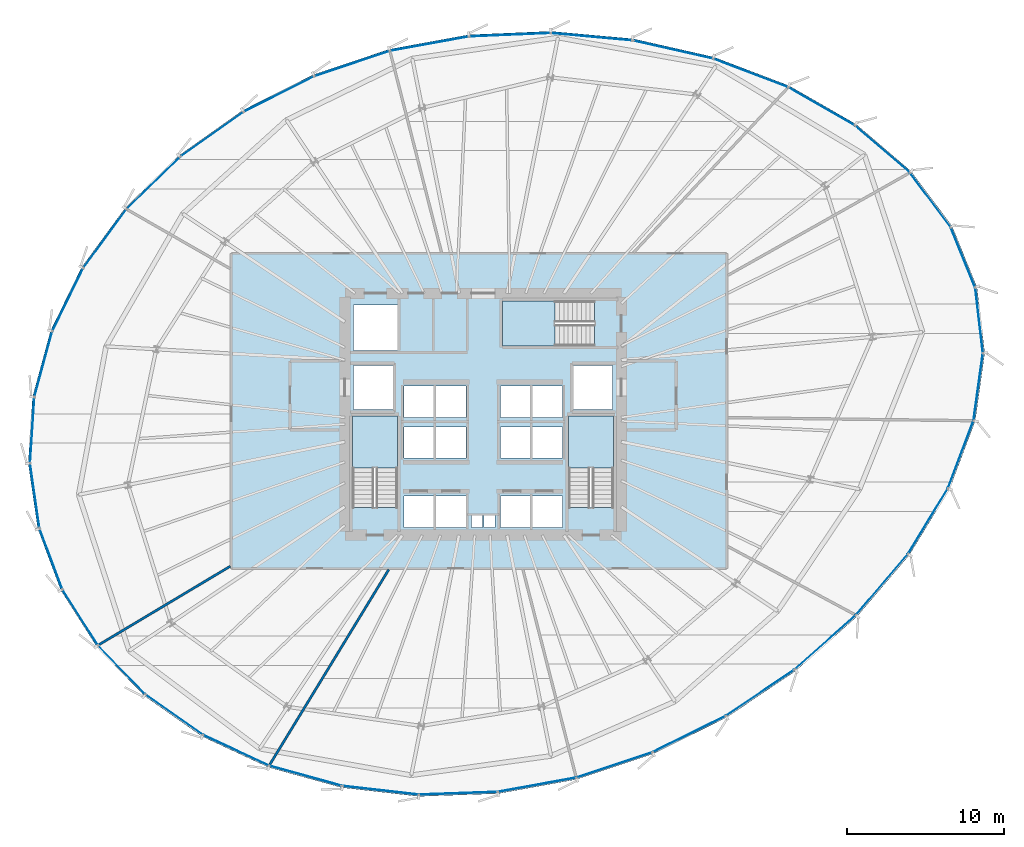
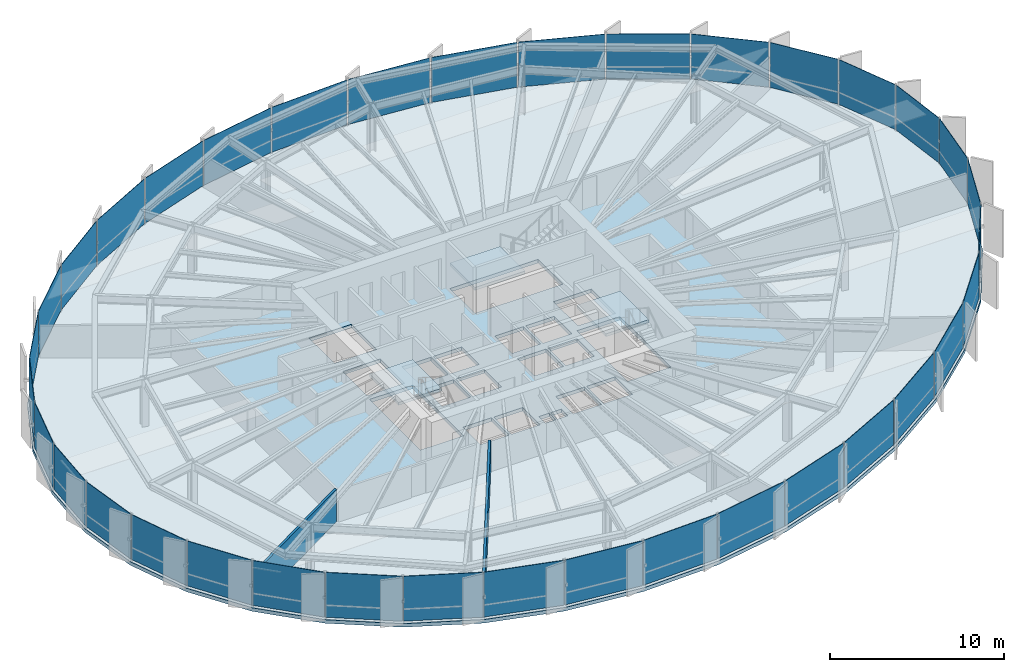
# One storey, part 27 of 35: 36 plates, 4 slabs, 2 walls, 9 elements without a shape of their own.
"""IFC4 building model written with IfcOpenShell, lengths in metres."""

import ifcopenshell
import ifcopenshell.guid

model = None  # the IFC model being written
_history = None  # IfcOwnerHistory: only IFC2X3 demands one
_inside = {}  # id of a spatial element -> (the spatial element, [elements in it])
_under = {}  # id of a project, library or spatial element -> (it, [spatial elements below it])
_declared = {}  # id of a project -> (the project, [libraries it declares])
_typed = {}  # id of a type object -> (the type object, [elements of that type])
_made_of = {}  # id of a material, layer set ... -> (it, [elements and type objects made of it])


def new_model(schema):
    """Start an empty IFC model of exactly this schema.

    Asked for "IFC4X3", IfcOpenShell would pick the latest addendum, in which some entities
    have other attributes; the version numbers below select the first issue.
    IFC2X3 requires an IfcOwnerHistory on every rooted entity: one is made here for all.
    """
    global model, _history
    if schema == "IFC4X3":
        model = ifcopenshell.file(schema_version=(4, 3, 0, 0))
    else:
        model = ifcopenshell.file(schema=schema)
    _inside.clear()
    _under.clear()
    _declared.clear()
    _typed.clear()
    _made_of.clear()
    _history = None
    if model.schema == "IFC2X3":
        org = make("IfcOrganization", Name="unknown")
        user = make(
            "IfcPersonAndOrganization",
            ThePerson=make("IfcPerson", FamilyName="unknown"),
            TheOrganization=org,
        )
        app = make(
            "IfcApplication",
            ApplicationDeveloper=org,
            Version="unknown",
            ApplicationFullName="unknown",
            ApplicationIdentifier="unknown",
        )
        _history = make(
            "IfcOwnerHistory",
            OwningUser=user,
            OwningApplication=app,
            ChangeAction="ADDED",
            CreationDate=0,
        )
    return model


def make(cls, **values):
    """One entity of the class cls with the attributes given. An attribute that is None is left unset."""
    return model.create_entity(
        cls, **{name: value for name, value in values.items() if value is not None}
    )


def rooted(cls, **values):
    """An entity with a GlobalId (a new one), such as an element, a storey or a relation."""
    return make(cls, GlobalId=ifcopenshell.guid.new(), OwnerHistory=_history, **values)


def si_unit(unit_type, name, prefix=None):
    """IfcSIUnit, for example si_unit("LENGTHUNIT", "METRE", prefix="MILLI")."""
    return make("IfcSIUnit", UnitType=unit_type, Prefix=prefix, Name=name)


def assignment(units):
    """IfcUnitAssignment: the units of a project."""
    return None if units is None else make("IfcUnitAssignment", Units=units)


def point(xyz):
    """IfcCartesianPoint."""
    return None if xyz is None else make("IfcCartesianPoint", Coordinates=xyz)


def direction(xyz):
    """IfcDirection."""
    return None if xyz is None else make("IfcDirection", DirectionRatios=xyz)


def frame(location, z_axis=None, x_axis=None):
    """IfcAxis2Placement3D, a coordinate frame: its origin and axes. An axis left out is left unset."""
    return make(
        "IfcAxis2Placement3D",
        Location=point(location),
        Axis=direction(z_axis),
        RefDirection=direction(x_axis),
    )


def frame_2d(location, x_axis=None):
    """IfcAxis2Placement2D, a coordinate frame in the plane: its origin and x axis."""
    return make(
        "IfcAxis2Placement2D", Location=point(location), RefDirection=direction(x_axis)
    )


def origin():
    """The frame at (0, 0, 0) with its axes left unset."""
    return frame((0.0, 0.0, 0.0))


def origin_2d():
    """The frame at (0, 0) in the plane with its x axis left unset."""
    return frame_2d((0.0, 0.0))


def place(relative_to, where):
    """IfcLocalPlacement: puts the frame where relative to a parent placement (None: the world)."""
    return make(
        "IfcLocalPlacement", PlacementRelTo=relative_to, RelativePlacement=where
    )


def context(
    kind, dimensions, precision=None, world=None, true_north=None, identifier=None
):
    """IfcGeometricRepresentationContext, for example the 3D "Model" context."""
    return make(
        "IfcGeometricRepresentationContext",
        ContextIdentifier=identifier,
        ContextType=kind,
        CoordinateSpaceDimension=dimensions,
        Precision=precision,
        WorldCoordinateSystem=world,
        TrueNorth=true_north,
    )


def subcontext(parent, identifier, kind, view, scale=None):
    """IfcGeometricRepresentationSubContext, for example "Body" below "Model"."""
    return make(
        "IfcGeometricRepresentationSubContext",
        ContextIdentifier=identifier,
        ContextType=kind,
        ParentContext=parent,
        TargetScale=scale,
        TargetView=view,
    )


def project(units=None, contexts=None):
    """IfcProject with its units and contexts."""
    return rooted(
        "IfcProject",
        Name="project",
        RepresentationContexts=contexts,
        UnitsInContext=assignment(units),
    )


def spatial(cls, under=None, at=None, **own):
    """A site, building, storey or space (cls), placed at a placement, below another one or the project."""
    s = rooted(cls, ObjectPlacement=at, **own)
    if under is not None:
        _under.setdefault(under.id(), (under, []))[1].append(s)
    return s


def polyline(points):
    """IfcPolyline through the points."""
    return make("IfcPolyline", Points=[point(p) for p in points])


def profile(cls, at=None, kind="AREA", **sizes):
    """A parametric profile (cls). Its sizes go by their IFC names, for example OverallWidth=200.0."""
    return make(cls, ProfileType=kind, Position=at, **sizes)


def rectangle(**sizes):
    """IfcRectangleProfileDef."""
    return profile("IfcRectangleProfileDef", **sizes)


def outline(outer, holes=None, kind="AREA"):
    """IfcArbitraryClosedProfileDef: a profile drawn as a closed curve; with holes, ...WithVoids."""
    if holes is None:
        return make("IfcArbitraryClosedProfileDef", ProfileType=kind, OuterCurve=outer)
    return make(
        "IfcArbitraryProfileDefWithVoids",
        ProfileType=kind,
        OuterCurve=outer,
        InnerCurves=holes,
    )


def extrude(swept, where, along, depth):
    """IfcExtrudedAreaSolid: the profile swept, set in the frame where, extruded along a direction by depth."""
    return make(
        "IfcExtrudedAreaSolid",
        SweptArea=swept,
        Position=where,
        ExtrudedDirection=direction(along),
        Depth=depth,
    )


def shape(context_of_items, identifier, shape_type, items):
    """IfcShapeRepresentation: the items that make up one representation, for example the "Body"."""
    return make(
        "IfcShapeRepresentation",
        ContextOfItems=context_of_items,
        RepresentationIdentifier=identifier,
        RepresentationType=shape_type,
        Items=items,
    )


def source(mapping_origin, context_of_items, identifier, shape_type, items):
    """IfcRepresentationMap: a shape defined once, which mapped items show again and again."""
    return make(
        "IfcRepresentationMap",
        MappingOrigin=mapping_origin,
        MappedRepresentation=shape(context_of_items, identifier, shape_type, items),
    )


def transform(
    local_origin,
    x_axis=None,
    y_axis=None,
    z_axis=None,
    scale=None,
    scale2=None,
    scale3=None,
    uniform=True,
):
    """IfcCartesianTransformationOperator3D, or its non-uniform kind. x_axis, y_axis, z_axis: its Axis1, 2, 3."""
    if uniform:
        return make(
            "IfcCartesianTransformationOperator3D",
            Axis1=direction(x_axis),
            Axis2=direction(y_axis),
            LocalOrigin=point(local_origin),
            Scale=scale,
            Axis3=direction(z_axis),
        )
    return make(
        "IfcCartesianTransformationOperator3DnonUniform",
        Axis1=direction(x_axis),
        Axis2=direction(y_axis),
        LocalOrigin=point(local_origin),
        Scale=scale,
        Axis3=direction(z_axis),
        Scale2=scale2,
        Scale3=scale3,
    )


def mapped(mapping_source, mapping_target):
    """IfcMappedItem: shows the shape of a source again, moved by a transform."""
    return make(
        "IfcMappedItem", MappingSource=mapping_source, MappingTarget=mapping_target
    )


def material(Name=None, Category=None):
    """IfcMaterial."""
    return make("IfcMaterial", Name=Name, Category=Category)


def layer(
    of_material, thickness, ventilated=None, Name=None, Category=None, Priority=None
):
    """IfcMaterialLayer: one layer of a wall or slab, of a material (None: an air gap)."""
    return make(
        "IfcMaterialLayer",
        Material=of_material,
        LayerThickness=thickness,
        IsVentilated=ventilated,
        Name=Name,
        Category=Category,
        Priority=Priority,
    )


def layer_set(layers, Name=None):
    """IfcMaterialLayerSet."""
    return make("IfcMaterialLayerSet", MaterialLayers=layers, LayerSetName=Name)


def made_of(thing, what):
    """Note that an element or type object is made of a material, layer set ...; save() writes the relation."""
    if what is not None:
        _made_of.setdefault(what.id(), (what, []))[1].append(thing)
    return thing


def type_object(cls, material=None, **own):
    """A type object (cls), such as IfcWallType, which elements share."""
    return made_of(rooted(cls, **own), material)


def element(
    cls,
    number,
    at=None,
    inside=None,
    cuts=None,
    type_object=None,
    material=None,
    context=None,
    identifier="Body",
    shape_type=None,
    held_by="IfcProductDefinitionShape",
    body=None,
    shapes=None,
    **own,
):
    """One element of the class cls, such as IfcWall. Its Tag is "e" and its number.

    at: its placement. inside: the storey or other place that contains it. cuts: it is an
    opening in that element (IfcRelVoidsElement). A single representation is given by context,
    identifier, shape_type and body (its items); several are given by shapes. held_by: the class
    of the entity that holds the representations. save() writes the other relations.
    """
    e = rooted(cls, Tag="e%d" % number, ObjectPlacement=at, **own)
    if body is not None:
        shapes = [shape(context, identifier, shape_type, body)]
    if shapes is not None:
        e.Representation = make(held_by, Representations=shapes)
    if inside is not None:
        _inside.setdefault(inside.id(), (inside, []))[1].append(e)
    if cuts is not None:
        rooted(
            "IfcRelVoidsElement", RelatingBuildingElement=cuts, RelatedOpeningElement=e
        )
    if type_object is not None:
        _typed.setdefault(type_object.id(), (type_object, []))[1].append(e)
    return made_of(e, material)


def aggregate(whole, parts):
    """IfcRelAggregates: a whole, such as a stair, and the parts it consists of."""
    return rooted("IfcRelAggregates", RelatingObject=whole, RelatedObjects=parts)


def save(model, path):
    """Write the relations noted so far, then the file.

    IfcRelAggregates (storeys below a building ...), IfcRelContainedInSpatialStructure (elements
    in a storey), IfcRelDefinesByType, IfcRelAssociatesMaterial and IfcRelDeclares: one each for
    every whole, place, type object, material and project.
    """
    for whole, parts in _under.values():
        aggregate(whole, parts)
    for where, things in _inside.values():
        rooted(
            "IfcRelContainedInSpatialStructure",
            RelatedElements=things,
            RelatingStructure=where,
        )
    for kind, things in _typed.values():
        rooted("IfcRelDefinesByType", RelatedObjects=things, RelatingType=kind)
    for what, things in _made_of.values():
        rooted("IfcRelAssociatesMaterial", RelatedObjects=things, RelatingMaterial=what)
    for by, libraries in _declared.values():
        rooted("IfcRelDeclares", RelatingContext=by, RelatedDefinitions=libraries)
    model.write(path)


model = new_model("IFC4")

# Units and contexts
model_context = context("Model", 3, precision=1e-05, world=origin(), true_north=direction((0.0, 1.0)))
body_context = subcontext(model_context, "Body", "Model", "MODEL_VIEW")
ifc_project = project(units=[si_unit("LENGTHUNIT", "METRE"), si_unit("AREAUNIT", "SQUARE_METRE"), si_unit("VOLUMEUNIT", "CUBIC_METRE"), si_unit("PLANEANGLEUNIT", "RADIAN"), si_unit("MASSUNIT", "GRAM", prefix="KILO"), si_unit("THERMODYNAMICTEMPERATUREUNIT", "KELVIN")], contexts=[model_context])

# Site, building, storey
site_placement = place(None, origin())
site = spatial("IfcSite", under=ifc_project, at=site_placement, CompositionType="ELEMENT")
building_placement = place(site_placement, origin())
building = spatial("IfcBuilding", under=site, at=building_placement, Name="Kethvar Cultural Tower", CompositionType="ELEMENT")
storey_placement = place(building_placement, frame((0.0, 0.0, 92.800048828125)))
storey = spatial("IfcBuildingStorey", under=building, at=storey_placement, Name="L22", CompositionType="ELEMENT", Elevation=92.800048828125)

# Stair, slab
ifc_material_1 = material(Name="Concrete C40/50", Category="concrete")
stair_type = type_object("IfcStairType", Name="ST-DOGLEG-135", PredefinedType="HALF_TURN_STAIR", material=ifc_material_1)
stair_1_placement = place(storey_placement, origin())
stair_1 = element("IfcStair", 1, at=stair_1_placement, inside=storey, type_object=stair_type, Name="L22 Core Exit Stair 1", PredefinedType="HALF_TURN_STAIR")
ifc_layer_1 = layer(ifc_material_1, 0.199951171875, Name="Concrete C40/50", Category="concrete")
ifc_layer_set_1 = layer_set([ifc_layer_1], Name="Concrete C40/50 (200 mm)")
slab_type_1 = type_object("IfcSlabType", Name="SL-STAIR-LANDING-200", PredefinedType="LANDING", material=ifc_layer_set_1)
slab_1_placement = place(storey_placement, frame((0.0, 0.0, 1.599853515625)))
slab_1 = element("IfcSlab", 2, at=slab_1_placement, type_object=slab_type_1, Name="ST-01 landing 1", PredefinedType="LANDING", context=body_context, shape_type="SweptSolid", body=[
    extrude(outline(polyline([(41.35009765625, 24.3701171875), (41.35009765625, 27.699951171875), (38.489990234375, 27.699951171875), (38.489990234375, 24.3701171875), (41.35009765625, 24.3701171875)])), origin(), (0.0, 0.0, 1.0), 0.2001953125),
])
aggregate(stair_1, [slab_1])

stair_2_placement = place(storey_placement, origin())
stair_2 = element("IfcStair", 3, at=stair_2_placement, inside=storey, type_object=stair_type, Name="L22 Core Exit Stair 2", PredefinedType="HALF_TURN_STAIR")
slab_2_placement = place(storey_placement, frame((0.0, 0.0, 1.599853515625)))
slab_2 = element("IfcSlab", 4, at=slab_2_placement, type_object=slab_type_1, Name="ST-02 landing 1", PredefinedType="LANDING", context=body_context, shape_type="SweptSolid", body=[
    extrude(outline(polyline([(55.110107421875, 24.3701171875), (55.110107421875, 27.699951171875), (52.25, 27.699951171875), (52.25, 24.3701171875), (55.110107421875, 24.3701171875)])), origin(), (0.0, 0.0, 1.0), 0.2001953125),
])
aggregate(stair_2, [slab_2])

stair_3_placement = place(storey_placement, origin())
stair_3 = element("IfcStair", 5, at=stair_3_placement, inside=storey, type_object=stair_type, Name="L22 Core Exit Stair 3", PredefinedType="HALF_TURN_STAIR")
slab_3_placement = place(storey_placement, frame((0.0, 0.0, 1.599853515625)))
slab_3 = element("IfcSlab", 6, at=slab_3_placement, type_object=slab_type_1, Name="ST-03 landing 1", PredefinedType="LANDING", context=body_context, shape_type="SweptSolid", body=[
    extrude(outline(polyline([(51.3798828125, 35.010009765625), (48.050048828125, 35.010009765625), (48.050048828125, 32.14990234375), (51.3798828125, 32.14990234375), (51.3798828125, 35.010009765625)])), origin(), (0.0, 0.0, 1.0), 0.2001953125),
])
aggregate(stair_3, [slab_3])

# Slab
ifc_layer_2 = layer(ifc_material_1, 0.25, Name="Concrete C40/50", Category="concrete")
ifc_layer_set_2 = layer_set([ifc_layer_2], Name="Concrete C40/50 (250 mm)")
slab_type_2 = type_object("IfcSlabType", Name="SL-TOW-250", PredefinedType="FLOOR", material=ifc_layer_set_2)
slab_4_placement = place(storey_placement, frame((0.0, 0.0, -0.25)))
element("IfcSlab", 7, at=slab_4_placement, inside=storey, type_object=slab_type_2, Name="L22 Structural Floor Slab", PredefinedType="FLOOR", context=body_context, shape_type="SweptSolid", body=[
    extrude(outline(polyline([(78.25830078125, 35.877197265625), (76.6748046875, 39.773681640625), (74.060302734375, 43.274658203125), (70.538330078125, 46.28515625), (66.279296875, 48.72998046875), (61.48291015625, 50.552978515625), (56.35791015625, 51.714599609375), (51.102294921875, 52.190673828125), (45.885009765625, 51.96923828125), (40.830810546875, 51.048095703125), (35.9970703125, 49.430419921875), (31.49169921875, 47.155517578125), (27.451171875, 44.292724609375), (23.99853515625, 40.9287109375), (21.239013671875, 37.165771484375), (19.255859375, 33.1181640625), (18.10986328125, 28.908935546875), (17.83544921875, 24.666259765625), (18.44091796875, 20.518798828125), (19.908447265625, 16.59228515625), (22.19287109375, 13.006591796875), (25.224853515625, 9.8701171875), (28.91259765625, 7.27880859375), (33.143798828125, 5.310791015625), (37.789794921875, 4.02587890625), (42.709716796875, 3.463623046875), (47.75390625, 3.640869140625), (52.76904296875, 4.552001953125), (57.641845703125, 6.1796875), (62.320556640625, 8.498779296875), (66.69677734375, 11.447998046875), (70.628173828125, 14.93505859375), (73.952880859375, 18.843017578125), (76.50732421875, 23.037353515625), (78.143310546875, 27.372314453125), (78.747802734375, 31.69970703125), (78.25830078125, 35.877197265625)]), holes=[polyline([(38.489990234375, 21.85009765625), (38.489990234375, 27.699951171875), (41.35009765625, 27.699951171875), (41.35009765625, 21.85009765625), (38.489990234375, 21.85009765625)]), polyline([(52.25, 21.85009765625), (52.25, 27.699951171875), (55.110107421875, 27.699951171875), (55.110107421875, 21.85009765625), (52.25, 21.85009765625)]), polyline([(53.89990234375, 32.14990234375), (48.050048828125, 32.14990234375), (48.050048828125, 35.010009765625), (53.89990234375, 35.010009765625), (53.89990234375, 32.14990234375)]), polyline([(41.75, 22.60009765625), (43.64990234375, 22.60009765625), (43.64990234375, 20.60009765625), (41.75, 20.60009765625), (41.75, 22.60009765625)]), polyline([(43.800048828125, 22.60009765625), (45.699951171875, 22.60009765625), (45.699951171875, 20.60009765625), (43.800048828125, 20.60009765625), (43.800048828125, 22.60009765625)]), polyline([(47.89990234375, 22.60009765625), (49.800048828125, 22.60009765625), (49.800048828125, 20.60009765625), (47.89990234375, 20.60009765625), (47.89990234375, 22.60009765625)]), polyline([(49.949951171875, 22.60009765625), (51.85009765625, 22.60009765625), (51.85009765625, 20.60009765625), (49.949951171875, 20.60009765625), (49.949951171875, 22.60009765625)]), polyline([(41.75, 27.0), (43.64990234375, 27.0), (43.64990234375, 25.0), (41.75, 25.0), (41.75, 27.0)]), polyline([(43.800048828125, 27.0), (45.699951171875, 27.0), (45.699951171875, 25.0), (43.800048828125, 25.0), (43.800048828125, 27.0)]), polyline([(47.89990234375, 27.0), (49.800048828125, 27.0), (49.800048828125, 25.0), (47.89990234375, 25.0), (47.89990234375, 27.0)]), polyline([(49.949951171875, 27.0), (51.85009765625, 27.0), (51.85009765625, 25.0), (49.949951171875, 25.0), (49.949951171875, 27.0)]), polyline([(41.75, 29.60009765625), (43.64990234375, 29.60009765625), (43.64990234375, 27.60009765625), (41.75, 27.60009765625), (41.75, 29.60009765625)]), polyline([(43.800048828125, 29.60009765625), (45.699951171875, 29.60009765625), (45.699951171875, 27.60009765625), (43.800048828125, 27.60009765625), (43.800048828125, 29.60009765625)]), polyline([(47.89990234375, 29.60009765625), (49.800048828125, 29.60009765625), (49.800048828125, 27.60009765625), (47.89990234375, 27.60009765625), (47.89990234375, 29.60009765625)]), polyline([(49.949951171875, 29.60009765625), (51.85009765625, 29.60009765625), (51.85009765625, 27.60009765625), (49.949951171875, 27.60009765625), (49.949951171875, 29.60009765625)]), polyline([(38.550048828125, 30.89990234375), (41.050048828125, 30.89990234375), (41.050048828125, 28.10009765625), (38.550048828125, 28.10009765625), (38.550048828125, 30.89990234375)]), polyline([(52.550048828125, 30.89990234375), (55.050048828125, 30.89990234375), (55.050048828125, 28.10009765625), (52.550048828125, 28.10009765625), (52.550048828125, 30.89990234375)]), polyline([(38.550048828125, 34.75), (41.35009765625, 34.75), (41.35009765625, 31.85009765625), (38.550048828125, 31.85009765625), (38.550048828125, 34.75)]), polyline([(46.050048828125, 21.35009765625), (46.75, 21.35009765625), (46.75, 20.60009765625), (46.050048828125, 20.60009765625), (46.050048828125, 21.35009765625)]), polyline([(46.85009765625, 21.35009765625), (47.550048828125, 21.35009765625), (47.550048828125, 20.60009765625), (46.85009765625, 20.60009765625), (46.85009765625, 21.35009765625)])]), origin(), (0.0, 0.0, 1.0), 0.25),
])

# Curtain wall, plate
ifc_material_2 = material(Name="Aluminium 6063-T6", Category="aluminium")
ifc_layer_3 = layer(ifc_material_2, 0.179931640625, Name="Aluminium 6063-T6", Category="aluminium")
ifc_layer_set_3 = layer_set([ifc_layer_3], Name="Aluminium 6063-T6 (180 mm)")
curtain_wall_type = type_object("IfcCurtainWallType", Name="CW-SYS-03-Z2", PredefinedType="NOTDEFINED", material=ifc_layer_set_3)
curtain_wall_1_placement = place(storey_placement, origin())
curtain_wall_1 = element("IfcCurtainWall", 8, at=curtain_wall_1_placement, inside=storey, type_object=curtain_wall_type, Name="L22 Curtain Wall Run 01", PredefinedType="NOTDEFINED")
ifc_material_3 = material(Name="Insulated Low-E Solar Glass", Category="glass")
ifc_layer_4 = layer(ifc_material_3, 0.031982421875, Name="Insulated Low-E Solar Glass", Category="glass")
ifc_layer_set_4 = layer_set([ifc_layer_4], Name="Insulated Low-E Solar Glass (32 mm)")
plate_type = type_object("IfcPlateType", Name="CW-SYS-03-Z2-PNL", PredefinedType="CURTAIN_PANEL", material=ifc_layer_set_4)
shared_shape_1 = source(origin(), body_context, "Body", "SweptSolid", [
    extrude(rectangle(XDim=4.11962890625, YDim=0.031982421875, at=origin_2d()), origin(), (0.0, 0.0, 1.0), 3.14990234375),
])
plate_1_placement = place(storey_placement, frame((77.360107421875, 37.781982421875, 0.10009765625), z_axis=(0.0, 0.0, 1.0), x_axis=(-0.376531490977, 0.92640381924, 0.0)))
plate_1 = element("IfcPlate", 9, at=plate_1_placement, type_object=plate_type, Name="CW-L22-R01 Vision Glazing Panel 1", PredefinedType="CURTAIN_PANEL", context=body_context, shape_type="MappedRepresentation", body=[
    mapped(shared_shape_1, transform((0.0, 0.0, 0.0), scale=1.0)),
])

curtain_wall_2_placement = place(storey_placement, origin())
curtain_wall_2 = element("IfcCurtainWall", 10, at=curtain_wall_2_placement, inside=storey, type_object=curtain_wall_type, Name="L22 Curtain Wall Run 06", PredefinedType="NOTDEFINED")
plate_2_placement = place(storey_placement, frame((78.388916015625, 33.775146484375, 0.10009765625), z_axis=(0.0, 0.0, 1.0), x_axis=(-0.116324048041, 0.9932113148, 0.0)))
plate_2 = element("IfcPlate", 11, at=plate_2_placement, type_object=plate_type, Name="CW-L22-R06 Vision Glazing Panel 6", PredefinedType="CURTAIN_PANEL", context=body_context, shape_type="MappedRepresentation", body=[
    mapped(shared_shape_1, transform((0.0, 0.0, 0.0), scale=1.0)),
])

# Plate
shared_shape_2 = source(origin(), body_context, "Body", "SweptSolid", [
    extrude(rectangle(XDim=4.283203125, YDim=0.031982421875, at=origin_2d()), origin(), (0.0, 0.0, 1.0), 3.14990234375),
])
plate_3_placement = place(storey_placement, frame((75.275390625, 41.455322265625, 0.10009765625), z_axis=(0.0, 0.0, 1.0), x_axis=(-0.598324600571, 0.801253812691, 0.0)))
plate_3 = element("IfcPlate", 12, at=plate_3_placement, type_object=plate_type, Name="CW-L22-R01 Vision Glazing Panel 2", PredefinedType="CURTAIN_PANEL", context=body_context, shape_type="MappedRepresentation", body=[
    mapped(shared_shape_2, transform((0.0, 0.0, 0.0), scale=1.0)),
])

plate_4_placement = place(storey_placement, frame((78.33154296875, 29.552001953125, 0.10009765625), z_axis=(0.0, 0.0, 1.0), x_axis=(0.138326161693, 0.990386729006, 0.0)))
plate_4 = element("IfcPlate", 13, at=plate_4_placement, type_object=plate_type, Name="CW-L22-R06 Vision Glazing Panel 5", PredefinedType="CURTAIN_PANEL", context=body_context, shape_type="MappedRepresentation", body=[
    mapped(shared_shape_2, transform((0.0, 0.0, 0.0), scale=1.0)),
])

shared_shape_3 = source(origin(), body_context, "Body", "SweptSolid", [
    extrude(rectangle(XDim=4.546875, YDim=0.031982421875, at=origin_2d()), origin(), (0.0, 0.0, 1.0), 3.14990234375),
])
plate_5_placement = place(storey_placement, frame((72.224609375, 44.6923828125, 0.10009765625), z_axis=(0.0, 0.0, 1.0), x_axis=(-0.760145199185, 0.649753242513, 0.0)))
plate_5 = element("IfcPlate", 14, at=plate_5_placement, type_object=plate_type, Name="CW-L22-R01 Vision Glazing Panel 3", PredefinedType="CURTAIN_PANEL", context=body_context, shape_type="MappedRepresentation", body=[
    mapped(shared_shape_3, transform((0.0, 0.0, 0.0), scale=1.0)),
])

plate_6_placement = place(storey_placement, frame((77.2177734375, 25.245361328125, 0.10009765625), z_axis=(0.0, 0.0, 1.0), x_axis=(0.353066645686, 0.935598174273, 0.0)))
plate_6 = element("IfcPlate", 15, at=plate_6_placement, type_object=plate_type, Name="CW-L22-R06 Vision Glazing Panel 4", PredefinedType="CURTAIN_PANEL", context=body_context, shape_type="MappedRepresentation", body=[
    mapped(shared_shape_3, transform((0.0, 0.0, 0.0), scale=1.0)),
])

shared_shape_4 = source(origin(), body_context, "Body", "SweptSolid", [
    extrude(rectangle(XDim=4.824462890625, YDim=0.031982421875, at=origin_2d()), origin(), (0.0, 0.0, 1.0), 3.14990234375),
])
plate_7_placement = place(storey_placement, frame((68.3515625, 47.407958984375, 0.10009765625), z_axis=(0.0, 0.0, 1.0), x_axis=(-0.86726192659, 0.497852137374, 0.0)))
plate_7 = element("IfcPlate", 16, at=plate_7_placement, type_object=plate_type, Name="CW-L22-R01 Vision Glazing Panel 4", PredefinedType="CURTAIN_PANEL", context=body_context, shape_type="MappedRepresentation", body=[
    mapped(shared_shape_4, transform((0.0, 0.0, 0.0), scale=1.0)),
])

plate_8_placement = place(storey_placement, frame((75.132080078125, 21.0, 0.10009765625), z_axis=(0.0, 0.0, 1.0), x_axis=(0.520160229669, 0.854068694819, 0.0)))
plate_8 = element("IfcPlate", 17, at=plate_8_placement, type_object=plate_type, Name="CW-L22-R06 Vision Glazing Panel 3", PredefinedType="CURTAIN_PANEL", context=body_context, shape_type="MappedRepresentation", body=[
    mapped(shared_shape_4, transform((0.0, 0.0, 0.0), scale=1.0)),
])

shared_shape_5 = source(origin(), body_context, "Body", "SweptSolid", [
    extrude(rectangle(XDim=5.044677734375, YDim=0.031982421875, at=origin_2d()), origin(), (0.0, 0.0, 1.0), 3.14990234375),
])
plate_9_placement = place(storey_placement, frame((63.84033203125, 49.533935546875, 0.10009765625), z_axis=(0.0, 0.0, 1.0), x_axis=(-0.934769884792, 0.3552538001, 0.0)))
plate_9 = element("IfcPlate", 18, at=plate_9_placement, type_object=plate_type, Name="CW-L22-R01 Vision Glazing Panel 5", PredefinedType="CURTAIN_PANEL", context=body_context, shape_type="MappedRepresentation", body=[
    mapped(shared_shape_5, transform((0.0, 0.0, 0.0), scale=1.0)),
])

plate_10_placement = place(storey_placement, frame((72.202880859375, 16.96337890625, 0.10009765625), z_axis=(0.0, 0.0, 1.0), x_axis=(0.647986977684, 0.761651414199, 0.0)))
plate_10 = element("IfcPlate", 19, at=plate_10_placement, type_object=plate_type, Name="CW-L22-R06 Vision Glazing Panel 2", PredefinedType="CURTAIN_PANEL", context=body_context, shape_type="MappedRepresentation", body=[
    mapped(shared_shape_5, transform((0.0, 0.0, 0.0), scale=1.0)),
])

shared_shape_6 = source(origin(), body_context, "Body", "SweptSolid", [
    extrude(rectangle(XDim=5.168701171875, YDim=0.031982421875, at=origin_2d()), origin(), (0.0, 0.0, 1.0), 3.14990234375),
])
plate_11_placement = place(storey_placement, frame((58.89501953125, 51.021728515625, 0.10009765625), z_axis=(0.0, 0.0, 1.0), x_axis=(-0.975253648298, 0.22108894473, 0.0)))
plate_11 = element("IfcPlate", 20, at=plate_11_placement, type_object=plate_type, Name="CW-L22-R01 Vision Glazing Panel 6", PredefinedType="CURTAIN_PANEL", context=body_context, shape_type="MappedRepresentation", body=[
    mapped(shared_shape_6, transform((0.0, 0.0, 0.0), scale=1.0)),
])

aggregate(curtain_wall_1, [plate_1, plate_3, plate_5, plate_7, plate_9, plate_11])

plate_12_placement = place(storey_placement, frame((68.586181640625, 13.277587890625, 0.10009765625), z_axis=(0.0, 0.0, 1.0), x_axis=(0.748110875313, 0.663573747399, 0.0)))
plate_12 = element("IfcPlate", 21, at=plate_12_placement, type_object=plate_type, Name="CW-L22-R06 Vision Glazing Panel 1", PredefinedType="CURTAIN_PANEL", context=body_context, shape_type="MappedRepresentation", body=[
    mapped(shared_shape_6, transform((0.0, 0.0, 0.0), scale=1.0)),
])

aggregate(curtain_wall_2, [plate_12, plate_10, plate_8, plate_6, plate_4, plate_2])

# Curtain wall, plate
curtain_wall_3_placement = place(storey_placement, origin())
curtain_wall_3 = element("IfcCurtainWall", 22, at=curtain_wall_3_placement, inside=storey, type_object=curtain_wall_type, Name="L22 Curtain Wall Run 02", PredefinedType="NOTDEFINED")
shared_shape_7 = source(origin(), body_context, "Body", "SweptSolid", [
    extrude(rectangle(XDim=5.19091796875, YDim=0.031982421875, at=origin_2d()), origin(), (0.0, 0.0, 1.0), 3.14990234375),
])
plate_13_placement = place(storey_placement, frame((53.7197265625, 51.838134765625, 0.10009765625), z_axis=(0.0, 0.0, 1.0), x_axis=(-0.995923849737, 0.090198035041, 0.0)))
plate_13 = element("IfcPlate", 23, at=plate_13_placement, type_object=plate_type, Name="CW-L22-R02 Vision Glazing Panel 1", PredefinedType="CURTAIN_PANEL", context=body_context, shape_type="MappedRepresentation", body=[
    mapped(shared_shape_7, transform((0.0, 0.0, 0.0), scale=1.0)),
])

curtain_wall_4_placement = place(storey_placement, origin())
curtain_wall_4 = element("IfcCurtainWall", 24, at=curtain_wall_4_placement, inside=storey, type_object=curtain_wall_type, Name="L22 Curtain Wall Run 05", PredefinedType="NOTDEFINED")
plate_14_placement = place(storey_placement, frame((64.4443359375, 10.06884765625, 0.10009765625), z_axis=(0.0, 0.0, 1.0), x_axis=(0.829281487562, 0.558831114369, 0.0)))
plate_14 = element("IfcPlate", 25, at=plate_14_placement, type_object=plate_type, Name="CW-L22-R05 Vision Glazing Panel 6", PredefinedType="CURTAIN_PANEL", context=body_context, shape_type="MappedRepresentation", body=[
    mapped(shared_shape_7, transform((0.0, 0.0, 0.0), scale=1.0)),
])

# Plate
shared_shape_8 = source(origin(), body_context, "Body", "SweptSolid", [
    extrude(rectangle(XDim=5.135498046875, YDim=0.031982421875, at=origin_2d()), origin(), (0.0, 0.0, 1.0), 3.14990234375),
])
plate_15_placement = place(storey_placement, frame((48.49853515625, 51.965087890625, 0.10009765625), z_axis=(0.0, 0.0, 1.0), x_axis=(-0.999100026951, -0.042416225047, 0.0)))
plate_15 = element("IfcPlate", 26, at=plate_15_placement, type_object=plate_type, Name="CW-L22-R02 Vision Glazing Panel 2", PredefinedType="CURTAIN_PANEL", context=body_context, shape_type="MappedRepresentation", body=[
    mapped(shared_shape_8, transform((0.0, 0.0, 0.0), scale=1.0)),
])

plate_16_placement = place(storey_placement, frame((59.929931640625, 7.4423828125, 0.10009765625), z_axis=(0.0, 0.0, 1.0), x_axis=(0.895959951659, 0.444134850044, 0.0)))
plate_16 = element("IfcPlate", 27, at=plate_16_placement, type_object=plate_type, Name="CW-L22-R05 Vision Glazing Panel 5", PredefinedType="CURTAIN_PANEL", context=body_context, shape_type="MappedRepresentation", body=[
    mapped(shared_shape_8, transform((0.0, 0.0, 0.0), scale=1.0)),
])

shared_shape_9 = source(origin(), body_context, "Body", "SweptSolid", [
    extrude(rectangle(XDim=5.051025390625, YDim=0.031982421875, at=origin_2d()), origin(), (0.0, 0.0, 1.0), 3.14990234375),
])
plate_17_placement = place(storey_placement, frame((43.378662109375, 51.3955078125, 0.10009765625), z_axis=(0.0, 0.0, 1.0), x_axis=(-0.983791282448, -0.179317351584, 0.0)))
plate_17 = element("IfcPlate", 28, at=plate_17_placement, type_object=plate_type, Name="CW-L22-R02 Vision Glazing Panel 3", PredefinedType="CURTAIN_PANEL", context=body_context, shape_type="MappedRepresentation", body=[
    mapped(shared_shape_9, transform((0.0, 0.0, 0.0), scale=1.0)),
])

plate_18_placement = place(storey_placement, frame((55.1689453125, 5.474853515625, 0.10009765625), z_axis=(0.0, 0.0, 1.0), x_axis=(0.948484136046, 0.316824626047, 0.0)))
plate_18 = element("IfcPlate", 29, at=plate_18_placement, type_object=plate_type, Name="CW-L22-R05 Vision Glazing Panel 4", PredefinedType="CURTAIN_PANEL", context=body_context, shape_type="MappedRepresentation", body=[
    mapped(shared_shape_9, transform((0.0, 0.0, 0.0), scale=1.0)),
])

shared_shape_10 = source(origin(), body_context, "Body", "SweptSolid", [
    extrude(rectangle(XDim=5.0107421875, YDim=0.031982421875, at=origin_2d()), origin(), (0.0, 0.0, 1.0), 3.14990234375),
])
plate_19_placement = place(storey_placement, frame((38.450439453125, 50.130126953125, 0.10009765625), z_axis=(0.0, 0.0, 1.0), x_axis=(-0.948312578606, -0.317337758952, 0.0)))
plate_19 = element("IfcPlate", 30, at=plate_19_placement, type_object=plate_type, Name="CW-L22-R02 Vision Glazing Panel 4", PredefinedType="CURTAIN_PANEL", context=body_context, shape_type="MappedRepresentation", body=[
    mapped(shared_shape_10, transform((0.0, 0.0, 0.0), scale=1.0)),
])

shared_shape_11 = source(origin(), body_context, "Body", "SweptSolid", [
    extrude(rectangle(XDim=4.960693359375, YDim=0.031982421875, at=origin_2d()), origin(), (0.0, 0.0, 1.0), 3.14990234375),
])
plate_20_placement = place(storey_placement, frame((33.796142578125, 48.1904296875, 0.10009765625), z_axis=(0.0, 0.0, 1.0), x_axis=(-0.892672364276, -0.450706168206, 0.0)))
plate_20 = element("IfcPlate", 31, at=plate_20_placement, type_object=plate_type, Name="CW-L22-R02 Vision Glazing Panel 5", PredefinedType="CURTAIN_PANEL", context=body_context, shape_type="MappedRepresentation", body=[
    mapped(shared_shape_11, transform((0.0, 0.0, 0.0), scale=1.0)),
])

shared_shape_12 = source(origin(), body_context, "Body", "SweptSolid", [
    extrude(rectangle(XDim=4.865478515625, YDim=0.031982421875, at=origin_2d()), origin(), (0.0, 0.0, 1.0), 3.14990234375),
])
plate_21_placement = place(storey_placement, frame((29.537841796875, 45.63037109375, 0.10009765625), z_axis=(0.0, 0.0, 1.0), x_axis=(-0.815935829999, -0.578142474935, 0.0)))
plate_21 = element("IfcPlate", 32, at=plate_21_placement, type_object=plate_type, Name="CW-L22-R02 Vision Glazing Panel 6", PredefinedType="CURTAIN_PANEL", context=body_context, shape_type="MappedRepresentation", body=[
    mapped(shared_shape_12, transform((0.0, 0.0, 0.0), scale=1.0)),
])

aggregate(curtain_wall_3, [plate_13, plate_15, plate_17, plate_19, plate_20, plate_21])

plate_22_placement = place(storey_placement, frame((40.262939453125, 3.859130859375, 0.10009765625), z_axis=(0.0, 0.0, 1.0), x_axis=(0.993532279769, -0.113550028869, 0.0)))
plate_22 = element("IfcPlate", 33, at=plate_22_placement, type_object=plate_type, Name="CW-L22-R05 Vision Glazing Panel 1", PredefinedType="CURTAIN_PANEL", context=body_context, shape_type="MappedRepresentation", body=[
    mapped(shared_shape_12, transform((0.0, 0.0, 0.0), scale=1.0)),
])

# Curtain wall, plates
curtain_wall_5_placement = place(storey_placement, origin())
curtain_wall_5 = element("IfcCurtainWall", 34, at=curtain_wall_5_placement, inside=storey, type_object=curtain_wall_type, Name="L22 Curtain Wall Run 03", PredefinedType="NOTDEFINED")
shared_shape_13 = source(origin(), body_context, "Body", "SweptSolid", [
    extrude(rectangle(XDim=4.734130859375, YDim=0.031982421875, at=origin_2d()), origin(), (0.0, 0.0, 1.0), 3.14990234375),
])
plate_23_placement = place(storey_placement, frame((25.80517578125, 42.5283203125, 0.10009765625), z_axis=(0.0, 0.0, 1.0), x_axis=(-0.716228867051, -0.69786546698, 0.0)))
plate_23 = element("IfcPlate", 35, at=plate_23_placement, type_object=plate_type, Name="CW-L22-R03 Vision Glazing Panel 1", PredefinedType="CURTAIN_PANEL", context=body_context, shape_type="MappedRepresentation", body=[
    mapped(shared_shape_13, transform((0.0, 0.0, 0.0), scale=1.0)),
])
shared_shape_14 = source(origin(), body_context, "Body", "SweptSolid", [
    extrude(rectangle(XDim=4.580078125, YDim=0.031982421875, at=origin_2d()), origin(), (0.0, 0.0, 1.0), 3.14990234375),
])
plate_24_placement = place(storey_placement, frame((22.71142578125, 38.979248046875, 0.10009765625), z_axis=(0.0, 0.0, 1.0), x_axis=(-0.591394095803, -0.806382678044, 0.0)))
plate_24 = element("IfcPlate", 36, at=plate_24_placement, type_object=plate_type, Name="CW-L22-R03 Vision Glazing Panel 2", PredefinedType="CURTAIN_PANEL", context=body_context, shape_type="MappedRepresentation", body=[
    mapped(shared_shape_14, transform((0.0, 0.0, 0.0), scale=1.0)),
])

# Curtain wall, plate
curtain_wall_6_placement = place(storey_placement, origin())
curtain_wall_6 = element("IfcCurtainWall", 37, at=curtain_wall_6_placement, inside=storey, type_object=curtain_wall_type, Name="L22 Curtain Wall Run 04", PredefinedType="NOTDEFINED")
plate_25_placement = place(storey_placement, frame((31.07666015625, 6.39892578125, 0.10009765625), z_axis=(0.0, 0.0, 1.0), x_axis=(0.90672041457, -0.421732248947, 0.0)))
plate_25 = element("IfcPlate", 38, at=plate_25_placement, type_object=plate_type, Name="CW-L22-R04 Vision Glazing Panel 5", PredefinedType="CURTAIN_PANEL", context=body_context, shape_type="MappedRepresentation", body=[
    mapped(shared_shape_14, transform((0.0, 0.0, 0.0), scale=1.0)),
])

# Plate
shared_shape_15 = source(origin(), body_context, "Body", "SweptSolid", [
    extrude(rectangle(XDim=4.4208984375, YDim=0.031982421875, at=origin_2d()), origin(), (0.0, 0.0, 1.0), 3.14990234375),
])
plate_26_placement = place(storey_placement, frame((20.3505859375, 35.09130859375, 0.10009765625), z_axis=(0.0, 0.0, 1.0), x_axis=(-0.439970516664, -0.898012218439, 0.0)))
plate_26 = element("IfcPlate", 39, at=plate_26_placement, type_object=plate_type, Name="CW-L22-R03 Vision Glazing Panel 3", PredefinedType="CURTAIN_PANEL", context=body_context, shape_type="MappedRepresentation", body=[
    mapped(shared_shape_15, transform((0.0, 0.0, 0.0), scale=1.0)),
])

plate_27_placement = place(storey_placement, frame((27.135009765625, 8.66845703125, 0.10009765625), z_axis=(0.0, 0.0, 1.0), x_axis=(0.818179823508, -0.574962413036, 0.0)))
plate_27 = element("IfcPlate", 40, at=plate_27_placement, type_object=plate_type, Name="CW-L22-R04 Vision Glazing Panel 4", PredefinedType="CURTAIN_PANEL", context=body_context, shape_type="MappedRepresentation", body=[
    mapped(shared_shape_15, transform((0.0, 0.0, 0.0), scale=1.0)),
])

shared_shape_16 = source(origin(), body_context, "Body", "SweptSolid", [
    extrude(rectangle(XDim=4.27587890625, YDim=0.031982421875, at=origin_2d()), origin(), (0.0, 0.0, 1.0), 3.14990234375),
])
plate_28_placement = place(storey_placement, frame((18.793701171875, 30.9833984375, 0.10009765625), z_axis=(0.0, 0.0, 1.0), x_axis=(-0.262728104606, -0.96486990991, 0.0)))
plate_28 = element("IfcPlate", 41, at=plate_28_placement, type_object=plate_type, Name="CW-L22-R03 Vision Glazing Panel 4", PredefinedType="CURTAIN_PANEL", context=body_context, shape_type="MappedRepresentation", body=[
    mapped(shared_shape_16, transform((0.0, 0.0, 0.0), scale=1.0)),
])

plate_29_placement = place(storey_placement, frame((23.79150390625, 11.518310546875, 0.10009765625), z_axis=(0.0, 0.0, 1.0), x_axis=(0.695060017231, -0.718951717744, 0.0)))
plate_29 = element("IfcPlate", 42, at=plate_29_placement, type_object=plate_type, Name="CW-L22-R04 Vision Glazing Panel 3", PredefinedType="CURTAIN_PANEL", context=body_context, shape_type="MappedRepresentation", body=[
    mapped(shared_shape_16, transform((0.0, 0.0, 0.0), scale=1.0)),
])

shared_shape_17 = source(origin(), body_context, "Body", "SweptSolid", [
    extrude(rectangle(XDim=4.165283203125, YDim=0.031982421875, at=origin_2d()), origin(), (0.0, 0.0, 1.0), 3.14990234375),
])
plate_30_placement = place(storey_placement, frame((18.08740234375, 26.7802734375, 0.10009765625), z_axis=(0.0, 0.0, 1.0), x_axis=(-0.064532308253, -0.997915618272, 0.0)))
plate_30 = element("IfcPlate", 43, at=plate_30_placement, type_object=plate_type, Name="CW-L22-R03 Vision Glazing Panel 5", PredefinedType="CURTAIN_PANEL", context=body_context, shape_type="MappedRepresentation", body=[
    mapped(shared_shape_17, transform((0.0, 0.0, 0.0), scale=1.0)),
])

plate_31_placement = place(storey_placement, frame((21.147705078125, 14.861083984375, 0.10009765625), z_axis=(0.0, 0.0, 1.0), x_axis=(0.537299608347, -0.843391445813, 0.0)))
plate_31 = element("IfcPlate", 44, at=plate_31_placement, type_object=plate_type, Name="CW-L22-R04 Vision Glazing Panel 2", PredefinedType="CURTAIN_PANEL", context=body_context, shape_type="MappedRepresentation", body=[
    mapped(shared_shape_17, transform((0.0, 0.0, 0.0), scale=1.0)),
])

shared_shape_18 = source(origin(), body_context, "Body", "SweptSolid", [
    extrude(rectangle(XDim=4.10498046875, YDim=0.031982421875, at=origin_2d()), origin(), (0.0, 0.0, 1.0), 3.14990234375),
])
plate_32_placement = place(storey_placement, frame((18.251953125, 22.609130859375, 0.10009765625), z_axis=(0.0, 0.0, 1.0), x_axis=(0.144477093305, -0.989508145247, 0.0)))
plate_32 = element("IfcPlate", 45, at=plate_32_placement, type_object=plate_type, Name="CW-L22-R03 Vision Glazing Panel 6", PredefinedType="CURTAIN_PANEL", context=body_context, shape_type="MappedRepresentation", body=[
    mapped(shared_shape_18, transform((0.0, 0.0, 0.0), scale=1.0)),
])

aggregate(curtain_wall_5, [plate_23, plate_24, plate_26, plate_28, plate_30, plate_32])

shared_shape_19 = source(origin(), body_context, "Body", "SweptSolid", [
    extrude(rectangle(XDim=4.105224609375, YDim=0.031982421875, at=origin_2d()), origin(), (0.0, 0.0, 1.0), 3.14990234375),
])
plate_33_placement = place(storey_placement, frame((19.282470703125, 18.595703125, 0.10009765625), z_axis=(0.0, 0.0, 1.0), x_axis=(0.350076593736, -0.936721078293, 0.0)))
plate_33 = element("IfcPlate", 46, at=plate_33_placement, type_object=plate_type, Name="CW-L22-R04 Vision Glazing Panel 1", PredefinedType="CURTAIN_PANEL", context=body_context, shape_type="MappedRepresentation", body=[
    mapped(shared_shape_19, transform((0.0, 0.0, 0.0), scale=1.0)),
])

shared_shape_20 = source(origin(), body_context, "Body", "SweptSolid", [
    extrude(rectangle(XDim=4.73388671875, YDim=0.031982421875, at=origin_2d()), origin(), (0.0, 0.0, 1.0), 3.14990234375),
])
plate_34_placement = place(storey_placement, frame((35.49755859375, 4.779296875, 0.10009765625), z_axis=(0.0, 0.0, 1.0), x_axis=(0.963830741964, -0.266515104347, 0.0)))
plate_34 = element("IfcPlate", 47, at=plate_34_placement, type_object=plate_type, Name="CW-L22-R04 Vision Glazing Panel 6", PredefinedType="CURTAIN_PANEL", context=body_context, shape_type="MappedRepresentation", body=[
    mapped(shared_shape_20, transform((0.0, 0.0, 0.0), scale=1.0)),
])

aggregate(curtain_wall_6, [plate_33, plate_31, plate_29, plate_27, plate_25, plate_34])

shared_shape_21 = source(origin(), body_context, "Body", "SweptSolid", [
    extrude(rectangle(XDim=4.9609375, YDim=0.031982421875, at=origin_2d()), origin(), (0.0, 0.0, 1.0), 3.14990234375),
])
plate_35_placement = place(storey_placement, frame((45.227783203125, 3.6669921875, 0.10009765625), z_axis=(0.0, 0.0, 1.0), x_axis=(0.999384108379, 0.035091365323, 0.0)))
plate_35 = element("IfcPlate", 48, at=plate_35_placement, type_object=plate_type, Name="CW-L22-R05 Vision Glazing Panel 2", PredefinedType="CURTAIN_PANEL", context=body_context, shape_type="MappedRepresentation", body=[
    mapped(shared_shape_21, transform((0.0, 0.0, 0.0), scale=1.0)),
])

shared_shape_22 = source(origin(), body_context, "Body", "SweptSolid", [
    extrude(rectangle(XDim=5.010986328125, YDim=0.031982421875, at=origin_2d()), origin(), (0.0, 0.0, 1.0), 3.14990234375),
])
plate_36_placement = place(storey_placement, frame((50.240966796875, 4.209716796875, 0.10009765625), z_axis=(0.0, 0.0, 1.0), x_axis=(0.983891278709, 0.178767870941, 0.0)))
plate_36 = element("IfcPlate", 49, at=plate_36_placement, type_object=plate_type, Name="CW-L22-R05 Vision Glazing Panel 3", PredefinedType="CURTAIN_PANEL", context=body_context, shape_type="MappedRepresentation", body=[
    mapped(shared_shape_22, transform((0.0, 0.0, 0.0), scale=1.0)),
])

aggregate(curtain_wall_4, [plate_22, plate_35, plate_36, plate_18, plate_16, plate_14])

# Walls
ifc_material_4 = material(Name="Gypsum Acoustic Partition")
ifc_layer_5 = layer(ifc_material_4, 0.14990234375, Name="Gypsum Acoustic Partition")
ifc_layer_set_5 = layer_set([ifc_layer_5], Name="Gypsum Acoustic Partition (150 mm)")
wall_type = type_object("IfcWallType", Name="WL-PART-150", PredefinedType="PARTITIONING", material=ifc_layer_set_5)
wall_1_placement = place(storey_placement, frame((30.701416015625, 18.1220703125, 0.0), z_axis=(0.0, 0.0, 1.0), x_axis=(-0.85839444225, -0.512990235301, 0.0)))
element("IfcWall", 50, at=wall_1_placement, inside=storey, type_object=wall_type, Name="L22 Radial Partition Wall 01", PredefinedType="PARTITIONING", context=body_context, shape_type="SweptSolid", body=[
    extrude(rectangle(XDim=9.711181640625, YDim=0.14990234375, at=frame_2d((4.85546875, 0.0))), origin(), (0.0, 0.0, 1.0), 2.280029296875),
])
wall_2_placement = place(storey_placement, frame((40.79541015625, 17.91162109375, 0.0), z_axis=(0.0, 0.0, 1.0), x_axis=(-0.520867966823, -0.853637253836, 0.0)))
element("IfcWall", 51, at=wall_2_placement, inside=storey, type_object=wall_type, Name="L22 Radial Partition Wall 02", PredefinedType="PARTITIONING", context=body_context, shape_type="SweptSolid", body=[
    extrude(rectangle(XDim=14.526611328125, YDim=0.14990234375, at=frame_2d((7.26318359375, 0.0))), origin(), (0.0, 0.0, 1.0), 2.280029296875),
])

save(model, "model.ifc")
